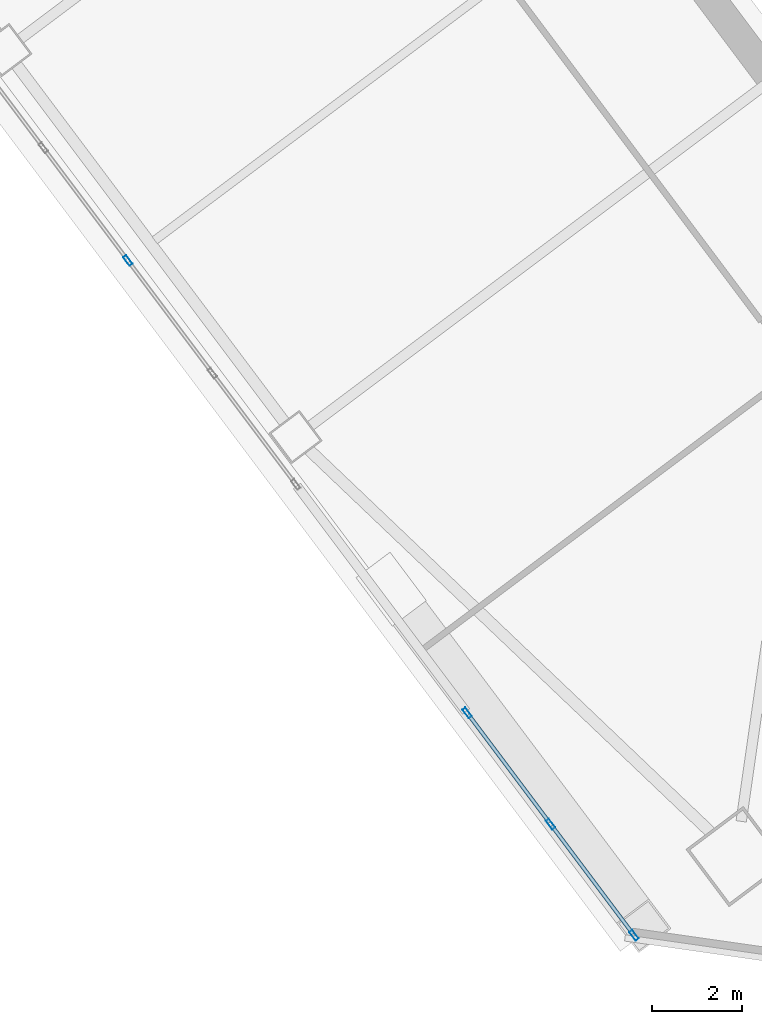
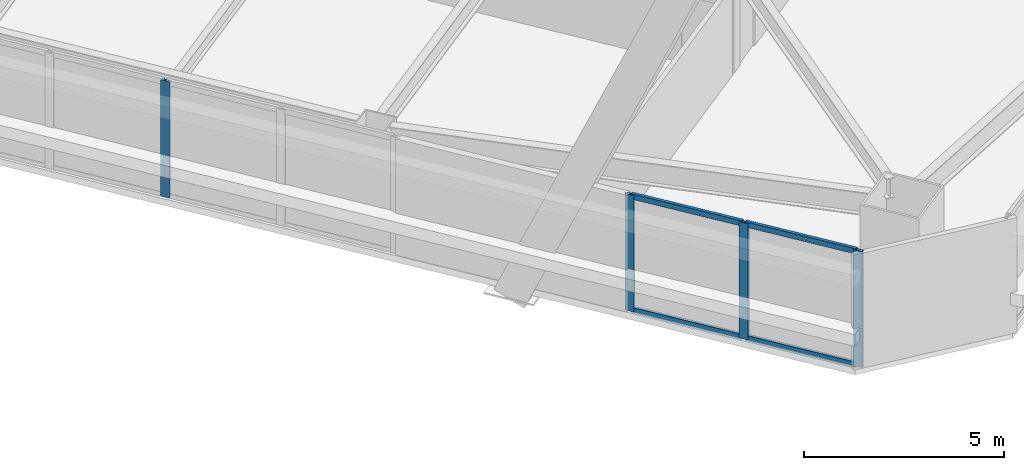
# One storey, part 31 of 75: 8 members, 2 elements without a shape of their own.
"""IFC4 building model written with IfcOpenShell, lengths in metres."""

from ifc_helpers import new_model, si_unit, direction, frame, origin, origin_2d, place, context, subcontext, project, spatial, hollow_rectangle, extrude, material, material_profile, profile_set, type_object, element, aggregate, save


model = new_model("IFC4")

# Units and contexts
model_context = context("Model", 3, precision=1e-05, world=origin(), true_north=direction((0.0, 1.0)))
body_context = subcontext(model_context, "Body", "Model", "MODEL_VIEW")
ifc_project = project(units=[si_unit("LENGTHUNIT", "METRE"), si_unit("AREAUNIT", "SQUARE_METRE"), si_unit("VOLUMEUNIT", "CUBIC_METRE"), si_unit("PLANEANGLEUNIT", "RADIAN"), si_unit("MASSUNIT", "GRAM", prefix="KILO")], contexts=[model_context])

# Site, building, storey
site_placement = place(None, origin())
site = spatial("IfcSite", under=ifc_project, at=site_placement, CompositionType="ELEMENT")
building_placement = place(site_placement, origin())
building = spatial("IfcBuilding", under=site, at=building_placement, Name="Tashvorn Skyway Center", CompositionType="ELEMENT")
storey_placement = place(building_placement, frame((0.0, 0.0, 45.89990234375)))
storey = spatial("IfcBuildingStorey", under=building, at=storey_placement, Name="L11", CompositionType="ELEMENT", Elevation=45.89990234375)

# Curtain wall, members
ifc_material = material(Name="Thermally broken bronze-anodized aluminium 6063-T6", Category="aluminium")
curtain_wall_type = type_object("IfcCurtainWallType", Name="CW-CW-Z1", PredefinedType="NOTDEFINED", material=ifc_material)
curtain_wall_1_placement = place(storey_placement, origin())
curtain_wall_1 = element("IfcCurtainWall", 1, at=curtain_wall_1_placement, inside=storey, type_object=curtain_wall_type, Name="Tower 2 L11 West Unitised Curtain Wall Glazing Group 1", PredefinedType="NOTDEFINED")
ifc_material_profile_1 = material_profile(ifc_material, hollow_rectangle(XDim=0.0849609375, YDim=0.239990234375, WallThickness=0.0048828125, at=origin_2d()), Name="ALU-MULL-85x240")
ifc_profile_set_1 = profile_set([ifc_material_profile_1], Name="Thermally broken bronze-anodized aluminium 6063-T6")
member_type_1 = type_object("IfcMemberType", Name="CWM-CW-Z1", PredefinedType="MULLION", material=ifc_profile_set_1)
member_1_placement = place(storey_placement, frame((107.95849609375, 3.922119140625, 0.0), z_axis=(0.0, 0.0, 1.0), x_axis=(-0.800001906763, -0.599997457641, 0.0)))
member_1 = element("IfcMember", 2, at=member_1_placement, type_object=member_type_1, Name="CW-Z1 mullion 1", PredefinedType="MULLION", context=body_context, shape_type="SweptSolid", body=[
    extrude(hollow_rectangle(XDim=0.0849609375, YDim=0.239990234375, WallThickness=0.0048828125, at=origin_2d()), origin(), (0.0, 0.0, 1.0), 3.550048828125),
])
member_2_placement = place(storey_placement, frame((106.095947265625, 6.4052734375, 0.0), z_axis=(0.0, 0.0, 1.0), x_axis=(-0.800001906763, -0.599997457641, 0.0)))
member_2 = element("IfcMember", 3, at=member_2_placement, type_object=member_type_1, Name="CW-Z1 mullion 2", PredefinedType="MULLION", context=body_context, shape_type="SweptSolid", body=[
    extrude(hollow_rectangle(XDim=0.0849609375, YDim=0.239990234375, WallThickness=0.0048828125, at=origin_2d()), origin(), (0.0, 0.0, 1.0), 3.550048828125),
])
member_3_placement = place(storey_placement, frame((104.2333984375, 8.888671875, 0.0), z_axis=(0.0, 0.0, 1.0), x_axis=(-0.800001906763, -0.599997457641, 0.0)))
member_3 = element("IfcMember", 4, at=member_3_placement, type_object=member_type_1, Name="CW-Z1 mullion 3", PredefinedType="MULLION", context=body_context, shape_type="SweptSolid", body=[
    extrude(hollow_rectangle(XDim=0.0849609375, YDim=0.239990234375, WallThickness=0.0048828125, at=origin_2d()), origin(), (0.0, 0.0, 1.0), 3.550048828125),
])

# Curtain wall, member
curtain_wall_2_placement = place(storey_placement, origin())
curtain_wall_2 = element("IfcCurtainWall", 5, at=curtain_wall_2_placement, inside=storey, type_object=curtain_wall_type, Name="Tower 2 L11 West Unitised Curtain Wall Glazing Group 2", PredefinedType="NOTDEFINED")
member_4_placement = place(storey_placement, frame((96.656005859375, 18.991943359375, 0.0), z_axis=(0.0, 0.0, 1.0), x_axis=(-0.800001906763, -0.599997457641, 0.0)))
member_4 = element("IfcMember", 6, at=member_4_placement, type_object=member_type_1, Name="CW-Z1 mullion 3", PredefinedType="MULLION", context=body_context, shape_type="SweptSolid", body=[
    extrude(hollow_rectangle(XDim=0.0849609375, YDim=0.239990234375, WallThickness=0.0048828125, at=origin_2d()), origin(), (0.0, 0.0, 1.0), 3.550048828125),
])
aggregate(curtain_wall_2, [member_4])

# Member
ifc_material_profile_2 = material_profile(ifc_material, hollow_rectangle(XDim=0.0849609375, YDim=0.1650390625, WallThickness=0.0048828125, at=origin_2d()), Name="ALU-TRAN-85x165")
ifc_profile_set_2 = profile_set([ifc_material_profile_2], Name="Thermally broken bronze-anodized aluminium 6063-T6")
member_type_2 = type_object("IfcMemberType", Name="CWT-CW-Z1", PredefinedType="USERDEFINED", material=ifc_profile_set_2)
member_5_placement = place(storey_placement, frame((107.93310546875, 3.9560546875, 0.04248046875), z_axis=(-0.600012938206, 0.799990296182, 0.0), x_axis=(-0.799990296182, -0.600012938206, 0.0)))
member_5 = element("IfcMember", 7, at=member_5_placement, type_object=member_type_2, Name="CW-Z1 transom 1.1", ObjectType="TRANSOM", PredefinedType="USERDEFINED", context=body_context, shape_type="SweptSolid", body=[
    extrude(hollow_rectangle(XDim=0.0849609375, YDim=0.1650390625, WallThickness=0.0048828125, at=origin_2d()), origin(), (0.0, 0.0, 1.0), 3.01904296875),
])

member_6_placement = place(storey_placement, frame((107.93310546875, 3.9560546875, 3.507568359375), z_axis=(-0.600012938206, 0.799990296182, 0.0), x_axis=(-0.799990296182, -0.600012938206, 0.0)))
member_6 = element("IfcMember", 8, at=member_6_placement, type_object=member_type_2, Name="CW-Z1 transom 1.2", ObjectType="TRANSOM", PredefinedType="USERDEFINED", context=body_context, shape_type="SweptSolid", body=[
    extrude(hollow_rectangle(XDim=0.0849609375, YDim=0.1650390625, WallThickness=0.0048828125, at=origin_2d()), origin(), (0.0, 0.0, 1.0), 3.01904296875),
])

member_7_placement = place(storey_placement, frame((106.070556640625, 6.439453125, 0.04248046875), z_axis=(-0.600012938206, 0.799990296182, 0.0), x_axis=(-0.799990296182, -0.600012938206, 0.0)))
member_7 = element("IfcMember", 9, at=member_7_placement, type_object=member_type_2, Name="CW-Z1 transom 2.1", ObjectType="TRANSOM", PredefinedType="USERDEFINED", context=body_context, shape_type="SweptSolid", body=[
    extrude(hollow_rectangle(XDim=0.0849609375, YDim=0.1650390625, WallThickness=0.0048828125, at=origin_2d()), origin(), (0.0, 0.0, 1.0), 3.01904296875),
])

member_8_placement = place(storey_placement, frame((106.070556640625, 6.439453125, 3.507568359375), z_axis=(-0.600012938206, 0.799990296182, 0.0), x_axis=(-0.799990296182, -0.600012938206, 0.0)))
member_8 = element("IfcMember", 10, at=member_8_placement, type_object=member_type_2, Name="CW-Z1 transom 2.2", ObjectType="TRANSOM", PredefinedType="USERDEFINED", context=body_context, shape_type="SweptSolid", body=[
    extrude(hollow_rectangle(XDim=0.0849609375, YDim=0.1650390625, WallThickness=0.0048828125, at=origin_2d()), origin(), (0.0, 0.0, 1.0), 3.01904296875),
])

aggregate(curtain_wall_1, [member_1, member_2, member_3, member_5, member_6, member_7, member_8])

save(model, "model.ifc")
